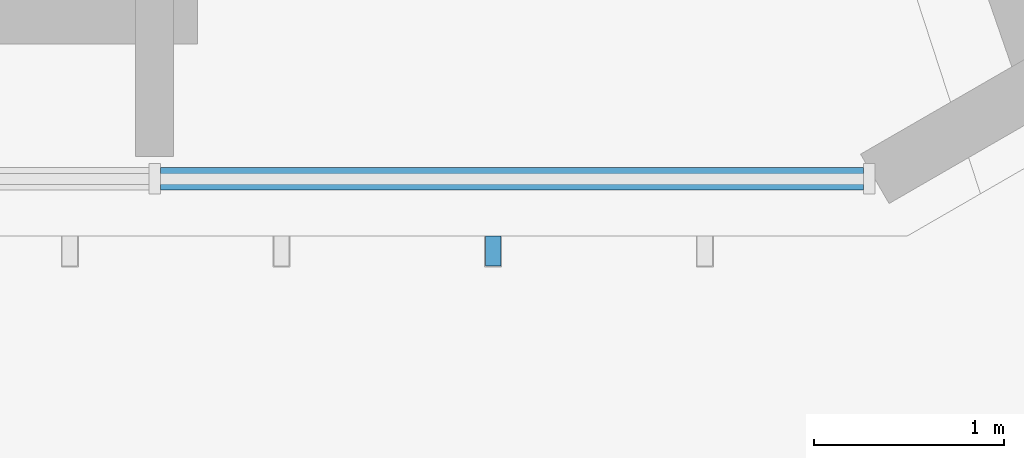
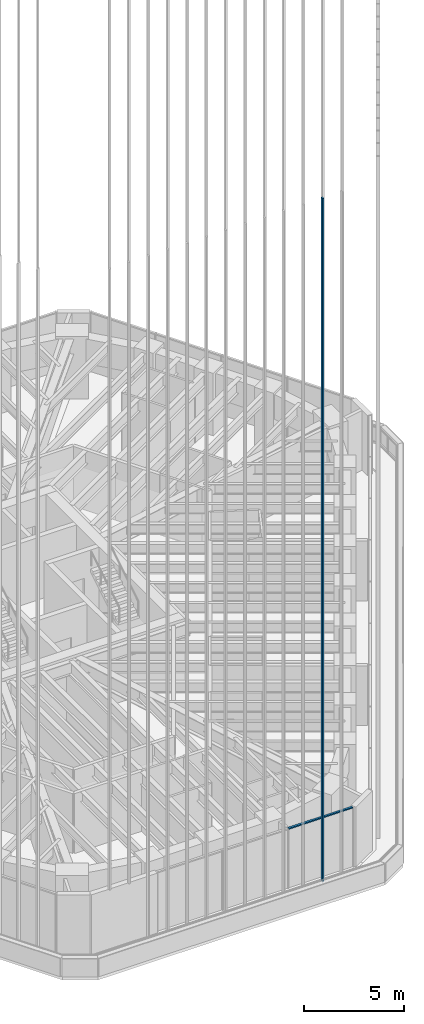
# One storey, part 30 of 127: 2 members, 1 element without a shape of its own.
"""IFC4 building model written with IfcOpenShell, lengths in metres."""

import ifcopenshell
import ifcopenshell.guid

model = None  # the IFC model being written
_history = None  # IfcOwnerHistory: only IFC2X3 demands one
_inside = {}  # id of a spatial element -> (the spatial element, [elements in it])
_under = {}  # id of a project, library or spatial element -> (it, [spatial elements below it])
_declared = {}  # id of a project -> (the project, [libraries it declares])
_typed = {}  # id of a type object -> (the type object, [elements of that type])
_made_of = {}  # id of a material, layer set ... -> (it, [elements and type objects made of it])


def new_model(schema):
    """Start an empty IFC model of exactly this schema.

    Asked for "IFC4X3", IfcOpenShell would pick the latest addendum, in which some entities
    have other attributes; the version numbers below select the first issue.
    IFC2X3 requires an IfcOwnerHistory on every rooted entity: one is made here for all.
    """
    global model, _history
    if schema == "IFC4X3":
        model = ifcopenshell.file(schema_version=(4, 3, 0, 0))
    else:
        model = ifcopenshell.file(schema=schema)
    _inside.clear()
    _under.clear()
    _declared.clear()
    _typed.clear()
    _made_of.clear()
    _history = None
    if model.schema == "IFC2X3":
        org = make("IfcOrganization", Name="unknown")
        user = make(
            "IfcPersonAndOrganization",
            ThePerson=make("IfcPerson", FamilyName="unknown"),
            TheOrganization=org,
        )
        app = make(
            "IfcApplication",
            ApplicationDeveloper=org,
            Version="unknown",
            ApplicationFullName="unknown",
            ApplicationIdentifier="unknown",
        )
        _history = make(
            "IfcOwnerHistory",
            OwningUser=user,
            OwningApplication=app,
            ChangeAction="ADDED",
            CreationDate=0,
        )
    return model


def make(cls, **values):
    """One entity of the class cls with the attributes given. An attribute that is None is left unset."""
    return model.create_entity(
        cls, **{name: value for name, value in values.items() if value is not None}
    )


def rooted(cls, **values):
    """An entity with a GlobalId (a new one), such as an element, a storey or a relation."""
    return make(cls, GlobalId=ifcopenshell.guid.new(), OwnerHistory=_history, **values)


def si_unit(unit_type, name, prefix=None):
    """IfcSIUnit, for example si_unit("LENGTHUNIT", "METRE", prefix="MILLI")."""
    return make("IfcSIUnit", UnitType=unit_type, Prefix=prefix, Name=name)


def assignment(units):
    """IfcUnitAssignment: the units of a project."""
    return None if units is None else make("IfcUnitAssignment", Units=units)


def point(xyz):
    """IfcCartesianPoint."""
    return None if xyz is None else make("IfcCartesianPoint", Coordinates=xyz)


def direction(xyz):
    """IfcDirection."""
    return None if xyz is None else make("IfcDirection", DirectionRatios=xyz)


def frame(location, z_axis=None, x_axis=None):
    """IfcAxis2Placement3D, a coordinate frame: its origin and axes. An axis left out is left unset."""
    return make(
        "IfcAxis2Placement3D",
        Location=point(location),
        Axis=direction(z_axis),
        RefDirection=direction(x_axis),
    )


def frame_2d(location, x_axis=None):
    """IfcAxis2Placement2D, a coordinate frame in the plane: its origin and x axis."""
    return make(
        "IfcAxis2Placement2D", Location=point(location), RefDirection=direction(x_axis)
    )


def origin():
    """The frame at (0, 0, 0) with its axes left unset."""
    return frame((0.0, 0.0, 0.0))


def origin_2d():
    """The frame at (0, 0) in the plane with its x axis left unset."""
    return frame_2d((0.0, 0.0))


def place(relative_to, where):
    """IfcLocalPlacement: puts the frame where relative to a parent placement (None: the world)."""
    return make(
        "IfcLocalPlacement", PlacementRelTo=relative_to, RelativePlacement=where
    )


def context(
    kind, dimensions, precision=None, world=None, true_north=None, identifier=None
):
    """IfcGeometricRepresentationContext, for example the 3D "Model" context."""
    return make(
        "IfcGeometricRepresentationContext",
        ContextIdentifier=identifier,
        ContextType=kind,
        CoordinateSpaceDimension=dimensions,
        Precision=precision,
        WorldCoordinateSystem=world,
        TrueNorth=true_north,
    )


def subcontext(parent, identifier, kind, view, scale=None):
    """IfcGeometricRepresentationSubContext, for example "Body" below "Model"."""
    return make(
        "IfcGeometricRepresentationSubContext",
        ContextIdentifier=identifier,
        ContextType=kind,
        ParentContext=parent,
        TargetScale=scale,
        TargetView=view,
    )


def project(units=None, contexts=None):
    """IfcProject with its units and contexts."""
    return rooted(
        "IfcProject",
        Name="project",
        RepresentationContexts=contexts,
        UnitsInContext=assignment(units),
    )


def spatial(cls, under=None, at=None, **own):
    """A site, building, storey or space (cls), placed at a placement, below another one or the project."""
    s = rooted(cls, ObjectPlacement=at, **own)
    if under is not None:
        _under.setdefault(under.id(), (under, []))[1].append(s)
    return s


def profile(cls, at=None, kind="AREA", **sizes):
    """A parametric profile (cls). Its sizes go by their IFC names, for example OverallWidth=200.0."""
    return make(cls, ProfileType=kind, Position=at, **sizes)


def rectangle(**sizes):
    """IfcRectangleProfileDef."""
    return profile("IfcRectangleProfileDef", **sizes)


def extrude(swept, where, along, depth):
    """IfcExtrudedAreaSolid: the profile swept, set in the frame where, extruded along a direction by depth."""
    return make(
        "IfcExtrudedAreaSolid",
        SweptArea=swept,
        Position=where,
        ExtrudedDirection=direction(along),
        Depth=depth,
    )


def shape(context_of_items, identifier, shape_type, items):
    """IfcShapeRepresentation: the items that make up one representation, for example the "Body"."""
    return make(
        "IfcShapeRepresentation",
        ContextOfItems=context_of_items,
        RepresentationIdentifier=identifier,
        RepresentationType=shape_type,
        Items=items,
    )


def material(Name=None, Category=None):
    """IfcMaterial."""
    return make("IfcMaterial", Name=Name, Category=Category)


def material_profile(
    of_material, cross_section, Name=None, Category=None, Priority=None
):
    """IfcMaterialProfile: a cross section and its material."""
    return make(
        "IfcMaterialProfile",
        Name=Name,
        Material=of_material,
        Profile=cross_section,
        Priority=Priority,
        Category=Category,
    )


def profile_set(profiles, Name=None, composite=None):
    """IfcMaterialProfileSet."""
    return make(
        "IfcMaterialProfileSet",
        Name=Name,
        MaterialProfiles=profiles,
        CompositeProfile=composite,
    )


def made_of(thing, what):
    """Note that an element or type object is made of a material, layer set ...; save() writes the relation."""
    if what is not None:
        _made_of.setdefault(what.id(), (what, []))[1].append(thing)
    return thing


def type_object(cls, material=None, **own):
    """A type object (cls), such as IfcWallType, which elements share."""
    return made_of(rooted(cls, **own), material)


def element(
    cls,
    number,
    at=None,
    inside=None,
    cuts=None,
    type_object=None,
    material=None,
    context=None,
    identifier="Body",
    shape_type=None,
    held_by="IfcProductDefinitionShape",
    body=None,
    shapes=None,
    **own,
):
    """One element of the class cls, such as IfcWall. Its Tag is "e" and its number.

    at: its placement. inside: the storey or other place that contains it. cuts: it is an
    opening in that element (IfcRelVoidsElement). A single representation is given by context,
    identifier, shape_type and body (its items); several are given by shapes. held_by: the class
    of the entity that holds the representations. save() writes the other relations.
    """
    e = rooted(cls, Tag="e%d" % number, ObjectPlacement=at, **own)
    if body is not None:
        shapes = [shape(context, identifier, shape_type, body)]
    if shapes is not None:
        e.Representation = make(held_by, Representations=shapes)
    if inside is not None:
        _inside.setdefault(inside.id(), (inside, []))[1].append(e)
    if cuts is not None:
        rooted(
            "IfcRelVoidsElement", RelatingBuildingElement=cuts, RelatedOpeningElement=e
        )
    if type_object is not None:
        _typed.setdefault(type_object.id(), (type_object, []))[1].append(e)
    return made_of(e, material)


def aggregate(whole, parts):
    """IfcRelAggregates: a whole, such as a stair, and the parts it consists of."""
    return rooted("IfcRelAggregates", RelatingObject=whole, RelatedObjects=parts)


def save(model, path):
    """Write the relations noted so far, then the file.

    IfcRelAggregates (storeys below a building ...), IfcRelContainedInSpatialStructure (elements
    in a storey), IfcRelDefinesByType, IfcRelAssociatesMaterial and IfcRelDeclares: one each for
    every whole, place, type object, material and project.
    """
    for whole, parts in _under.values():
        aggregate(whole, parts)
    for where, things in _inside.values():
        rooted(
            "IfcRelContainedInSpatialStructure",
            RelatedElements=things,
            RelatingStructure=where,
        )
    for kind, things in _typed.values():
        rooted("IfcRelDefinesByType", RelatedObjects=things, RelatingType=kind)
    for what, things in _made_of.values():
        rooted("IfcRelAssociatesMaterial", RelatedObjects=things, RelatingMaterial=what)
    for by, libraries in _declared.values():
        rooted("IfcRelDeclares", RelatingContext=by, RelatedDefinitions=libraries)
    model.write(path)


model = new_model("IFC4")

# Units and contexts
model_context = context("Model", 3, precision=1e-05, world=origin(), true_north=direction((0.0, 1.0)))
body_context = subcontext(model_context, "Body", "Model", "MODEL_VIEW")
ifc_project = project(units=[si_unit("LENGTHUNIT", "METRE"), si_unit("AREAUNIT", "SQUARE_METRE"), si_unit("VOLUMEUNIT", "CUBIC_METRE"), si_unit("PLANEANGLEUNIT", "RADIAN"), si_unit("MASSUNIT", "GRAM", prefix="KILO")], contexts=[model_context])

# Site, building, storey
site_placement = place(None, origin())
site = spatial("IfcSite", under=ifc_project, at=site_placement, CompositionType="ELEMENT")
building_placement = place(site_placement, origin())
building = spatial("IfcBuilding", under=site, at=building_placement, Name="Sandreach Pilgrim Tower", CompositionType="ELEMENT")
storey_placement = place(building_placement, frame((0.0, 0.0, 257.0)))
storey = spatial("IfcBuildingStorey", under=building, at=storey_placement, Name="L64", CompositionType="ELEMENT", Elevation=257.0)

# Curtain wall, members
ifc_material_1 = material(Name="Aluminium framed curtain wall", Category="aluminium")
curtain_wall_type = type_object("IfcCurtainWallType", Name="Suite tower curtain wall", PredefinedType="NOTDEFINED", material=ifc_material_1)
curtain_wall_placement = place(storey_placement, origin())
curtain_wall = element("IfcCurtainWall", 1, at=curtain_wall_placement, inside=storey, type_object=curtain_wall_type, Name="CW-4 L64 SA", PredefinedType="NOTDEFINED")
ifc_material_2 = material(Name="Aluminium extrusion", Category="aluminium")
ifc_material_profile_1 = material_profile(ifc_material_2, rectangle(XDim=0.1201171875, YDim=0.070068359375, at=origin_2d()), Name="CW-4T 120X70")
ifc_profile_set_1 = profile_set([ifc_material_profile_1], Name="Aluminium extrusion")
member_type_1 = type_object("IfcMemberType", Name="CW-4 transom", PredefinedType="USERDEFINED", material=ifc_profile_set_1)
member_1_placement = place(storey_placement, frame((7.5234375, -24.858154296875, 3.60498046875), z_axis=(-1.0, 0.0, 0.0), x_axis=(0.0, -1.0, 0.0)))
member_1 = element("IfcMember", 2, at=member_1_placement, type_object=member_type_1, Name="CW-4 head transom 1", ObjectType="TRANSOM", PredefinedType="USERDEFINED", context=body_context, shape_type="SweptSolid", body=[
    extrude(rectangle(XDim=0.1201171875, YDim=0.070068359375, at=origin_2d()), origin(), (0.0, 0.0, 1.0), 3.70166015625),
])
ifc_material_3 = material(Name="Extruded terracotta on aluminium core", Category="masonry")
ifc_material_profile_2 = material_profile(ifc_material_3, rectangle(XDim=0.080078125, YDim=0.159912109375, at=origin_2d()), Name="TBS 80X160")
ifc_profile_set_2 = profile_set([ifc_material_profile_2], Name="Extruded terracotta on aluminium core")
member_type_2 = type_object("IfcMemberType", Name="Terracotta baguette south", PredefinedType="USERDEFINED", material=ifc_profile_set_2)
member_2_placement = place(storey_placement, frame((5.573486328125, -25.238037109375, 0.0), z_axis=(0.0, 0.0, 1.0), x_axis=(-1.0, 0.0, 0.0)))
member_2 = element("IfcMember", 3, at=member_2_placement, type_object=member_type_2, Name="Baguette Z4 S02", ObjectType="BAGUETTE", PredefinedType="USERDEFINED", context=body_context, shape_type="SweptSolid", body=[
    extrude(rectangle(XDim=0.080078125, YDim=0.159912109375, at=origin_2d()), origin(), (0.0, 0.0, 1.0), 41.639892578125),
])
aggregate(curtain_wall, [member_1, member_2])

save(model, "model.ifc")
